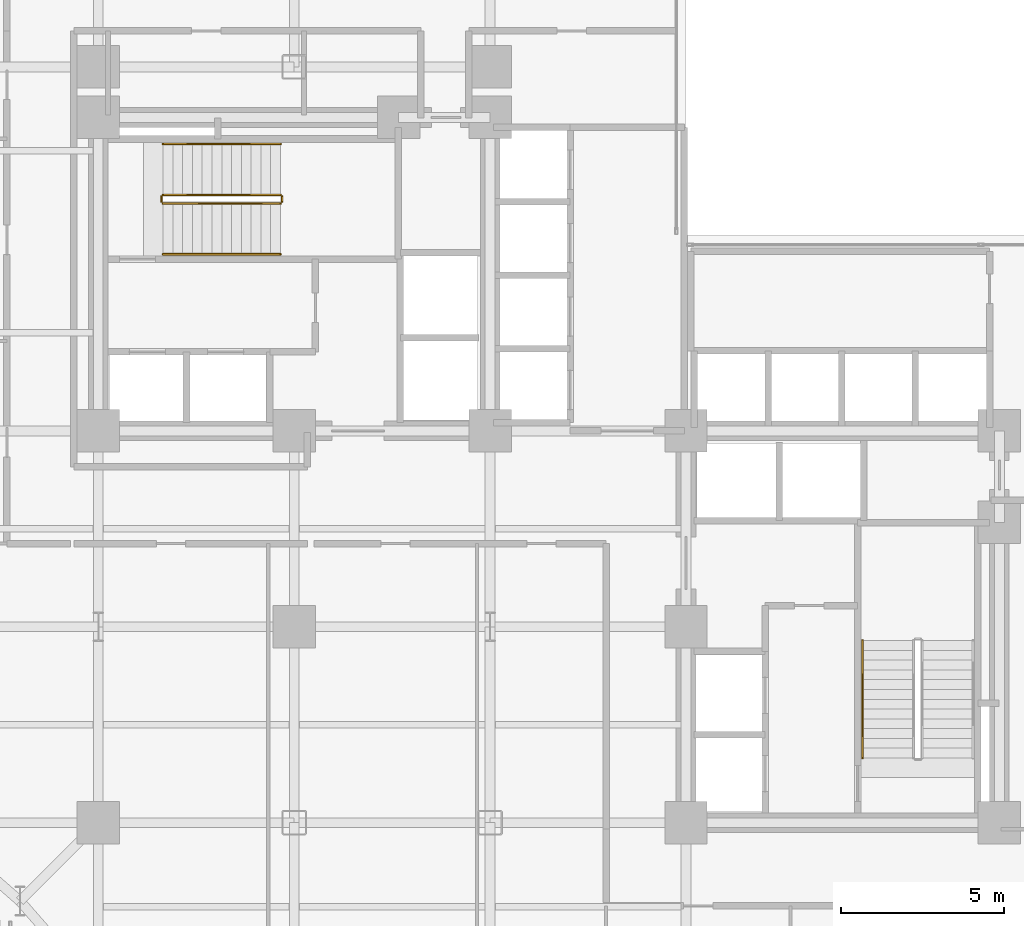
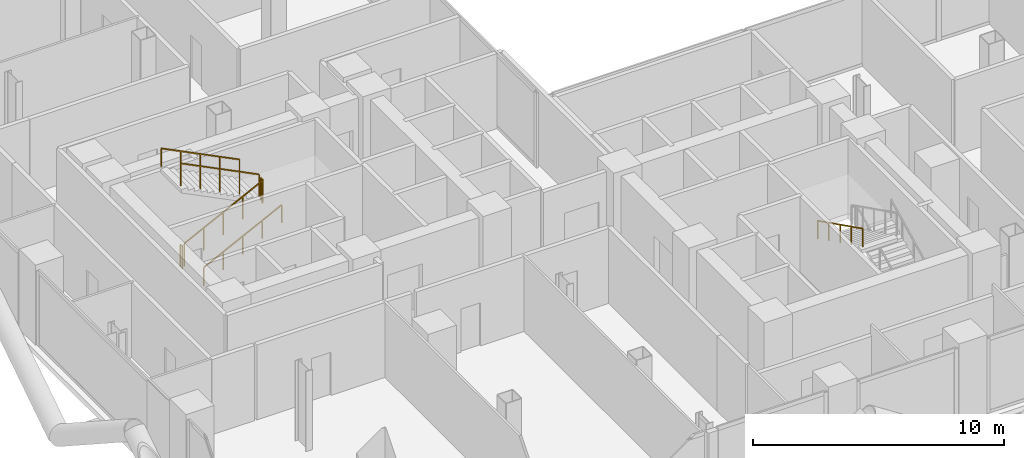
# One storey, part 25 of 27: 7 railings.
"""IFC4 building model written with IfcOpenShell, lengths in metres."""

from ifc_helpers import new_model, si_unit, direction, frame, origin, origin_2d, place, context, subcontext, project, spatial, rectangle, extrude, material, type_object, element, save


model = new_model("IFC4")

# Units and contexts
model_context = context("Model", 3, precision=1e-05, world=origin(), true_north=direction((0.0, 1.0)))
body_context = subcontext(model_context, "Body", "Model", "MODEL_VIEW")
ifc_project = project(units=[si_unit("LENGTHUNIT", "METRE"), si_unit("AREAUNIT", "SQUARE_METRE"), si_unit("VOLUMEUNIT", "CUBIC_METRE"), si_unit("PLANEANGLEUNIT", "RADIAN"), si_unit("MASSUNIT", "GRAM", prefix="KILO"), si_unit("THERMODYNAMICTEMPERATUREUNIT", "KELVIN"), si_unit("POWERUNIT", "WATT")], contexts=[model_context])

# Site, building, storey
site_placement = place(None, origin())
site = spatial("IfcSite", under=ifc_project, at=site_placement, CompositionType="ELEMENT")
building_placement = place(site_placement, origin())
building = spatial("IfcBuilding", under=site, at=building_placement, Name="Svarakhadi Broadcast Tower", CompositionType="ELEMENT")
storey_placement = place(building_placement, frame((0.0, 0.0, 87.0)))
storey = spatial("IfcBuildingStorey", under=building, at=storey_placement, Name="L20", CompositionType="ELEMENT", Elevation=87.0)

# Railings
ifc_material = material(Name="Anodised Bronze Aluminium AA 6063-T6", Category="aluminium")
railing_type_1 = type_object("IfcRailingType", Name="Guard_Stair_GR01", PredefinedType="GUARDRAIL", material=ifc_material)
railing_1_placement = place(storey_placement, frame((7.97998046875, 24.969970703125, 0.14990234375)))
element("IfcRailing", 1, at=railing_1_placement, inside=storey, type_object=railing_type_1, Name="L20 ST-01 stair guard 1", PredefinedType="GUARDRAIL", context=body_context, shape_type="SweptSolid", body=[
    extrude(rectangle(XDim=0.048095703125, YDim=0.048095703125, at=origin_2d()), frame((0.0, 0.0, 1.09619140625), z_axis=(0.894427191, 0.0, 0.4472135955), x_axis=(0.0, 1.0, 0.0)), (0.0, 0.0, 1.0), 4.025146484375),
    extrude(rectangle(XDim=0.0419921875, YDim=0.0419921875, at=origin_2d()), origin(), (0.0, 0.0, 1.0), 1.072021484375),
    extrude(rectangle(XDim=0.0419921875, YDim=0.0419921875, at=origin_2d()), frame((0.89990234375, 0.0, 0.449951171875)), (0.0, 0.0, 1.0), 1.072021484375),
    extrude(rectangle(XDim=0.0419921875, YDim=0.0419921875, at=origin_2d()), frame((1.800048828125, 0.0, 0.89990234375)), (0.0, 0.0, 1.0), 1.072021484375),
    extrude(rectangle(XDim=0.0419921875, YDim=0.0419921875, at=origin_2d()), frame((2.7001953125, 0.0, 1.35009765625)), (0.0, 0.0, 1.0), 1.072021484375),
    extrude(rectangle(XDim=0.0419921875, YDim=0.0419921875, at=origin_2d()), frame((3.60009765625, 0.0, 1.800048828125)), (0.0, 0.0, 1.0), 1.072021484375),
])
railing_2_placement = place(storey_placement, frame((11.6298828125, 25.02001953125, 1.949951171875)))
element("IfcRailing", 2, at=railing_2_placement, inside=storey, type_object=railing_type_1, Name="L20 ST-01 stair guard 2", PredefinedType="GUARDRAIL", context=body_context, shape_type="SweptSolid", body=[
    extrude(rectangle(XDim=0.048095703125, YDim=0.048095703125, at=origin_2d()), frame((0.0, 0.0, 1.09619140625), z_axis=(0.0, 1.0, 0.0), x_axis=(-1.0, 0.0, 0.0)), (0.0, 0.0, 1.0), 0.159912109375),
    extrude(rectangle(XDim=0.0419921875, YDim=0.0419921875, at=origin_2d()), origin(), (0.0, 0.0, 1.0), 1.072021484375),
    extrude(rectangle(XDim=0.0419921875, YDim=0.0419921875, at=origin_2d()), frame((0.0, 0.159912109375, 0.0)), (0.0, 0.0, 1.0), 1.072021484375),
])
railing_3_placement = place(storey_placement, frame((11.580078125, 25.22998046875, 2.10009765625)))
element("IfcRailing", 3, at=railing_3_placement, inside=storey, type_object=railing_type_1, Name="L20 ST-01 stair guard 3", PredefinedType="GUARDRAIL", context=body_context, shape_type="SweptSolid", body=[
    extrude(rectangle(XDim=0.048095703125, YDim=0.048095703125, at=origin_2d()), frame((0.0, 0.0, 1.09619140625), z_axis=(-0.894451452574, 0.0, 0.447165069061), x_axis=(0.0, -1.0, 0.0)), (0.0, 0.0, 1.0), 4.02490234375),
    extrude(rectangle(XDim=0.0419921875, YDim=0.0419921875, at=origin_2d()), origin(), (0.0, 0.0, 1.0), 1.072021484375),
    extrude(rectangle(XDim=0.0419921875, YDim=0.0419921875, at=origin_2d()), frame((-0.89990234375, 0.0, 0.449951171875)), (0.0, 0.0, 1.0), 1.072021484375),
    extrude(rectangle(XDim=0.0419921875, YDim=0.0419921875, at=origin_2d()), frame((-1.800048828125, 0.0, 0.89990234375)), (0.0, 0.0, 1.0), 1.072021484375),
    extrude(rectangle(XDim=0.0419921875, YDim=0.0419921875, at=origin_2d()), frame((-2.7001953125, 0.0, 1.349853515625)), (0.0, 0.0, 1.0), 1.072021484375),
    extrude(rectangle(XDim=0.0419921875, YDim=0.0419921875, at=origin_2d()), frame((-3.60009765625, 0.0, 1.7998046875)), (0.0, 0.0, 1.0), 1.072021484375),
])
railing_4_placement = place(storey_placement, frame((7.929931640625, 25.02001953125, 0.0)))
element("IfcRailing", 4, at=railing_4_placement, inside=storey, type_object=railing_type_1, Name="L20 ST-01 stair guard 4", PredefinedType="GUARDRAIL", context=body_context, shape_type="SweptSolid", body=[
    extrude(rectangle(XDim=0.048095703125, YDim=0.048095703125, at=origin_2d()), frame((0.0, 0.0, 1.09619140625), z_axis=(0.0, 1.0, 0.0), x_axis=(-1.0, 0.0, 0.0)), (0.0, 0.0, 1.0), 0.159912109375),
    extrude(rectangle(XDim=0.0419921875, YDim=0.0419921875, at=origin_2d()), origin(), (0.0, 0.0, 1.0), 1.072021484375),
    extrude(rectangle(XDim=0.0419921875, YDim=0.0419921875, at=origin_2d()), frame((0.0, 0.159912109375, 0.0)), (0.0, 0.0, 1.0), 1.072021484375),
])
railing_type_2 = type_object("IfcRailingType", Name="Handrail_Stair_HR01", PredefinedType="HANDRAIL", material=ifc_material)
railing_5_placement = place(storey_placement, frame((7.97998046875, 23.409912109375, 0.14990234375)))
element("IfcRailing", 5, at=railing_5_placement, inside=storey, type_object=railing_type_2, Name="L20 ST-01 stair handrail 1", PredefinedType="HANDRAIL", context=body_context, shape_type="SweptSolid", body=[
    extrude(rectangle(XDim=0.048095703125, YDim=0.048095703125, at=origin_2d()), frame((0.0, 0.0, 0.8759765625), z_axis=(0.894427191, 0.0, 0.4472135955), x_axis=(0.0, 1.0, 0.0)), (0.0, 0.0, 1.0), 4.025146484375),
    extrude(rectangle(XDim=0.0419921875, YDim=0.0419921875, at=origin_2d()), origin(), (0.0, 0.0, 1.0), 0.851806640625),
    extrude(rectangle(XDim=0.0419921875, YDim=0.0419921875, at=origin_2d()), frame((0.89990234375, 0.0, 0.449951171875)), (0.0, 0.0, 1.0), 0.851806640625),
    extrude(rectangle(XDim=0.0419921875, YDim=0.0419921875, at=origin_2d()), frame((1.800048828125, 0.0, 0.89990234375)), (0.0, 0.0, 1.0), 0.851806640625),
    extrude(rectangle(XDim=0.0419921875, YDim=0.0419921875, at=origin_2d()), frame((2.7001953125, 0.0, 1.35009765625)), (0.0, 0.0, 1.0), 0.851806640625),
    extrude(rectangle(XDim=0.0419921875, YDim=0.0419921875, at=origin_2d()), frame((3.60009765625, 0.0, 1.800048828125)), (0.0, 0.0, 1.0), 0.851806640625),
])
railing_6_placement = place(storey_placement, frame((11.580078125, 26.7900390625, 2.10009765625)))
element("IfcRailing", 6, at=railing_6_placement, inside=storey, type_object=railing_type_2, Name="L20 ST-01 stair handrail 2", PredefinedType="HANDRAIL", context=body_context, shape_type="SweptSolid", body=[
    extrude(rectangle(XDim=0.048095703125, YDim=0.048095703125, at=origin_2d()), frame((0.0, 0.0, 0.8759765625), z_axis=(-0.894451452574, 0.0, 0.447165069061), x_axis=(0.0, -1.0, 0.0)), (0.0, 0.0, 1.0), 4.02490234375),
    extrude(rectangle(XDim=0.0419921875, YDim=0.0419921875, at=origin_2d()), origin(), (0.0, 0.0, 1.0), 0.851806640625),
    extrude(rectangle(XDim=0.0419921875, YDim=0.0419921875, at=origin_2d()), frame((-0.89990234375, 0.0, 0.449951171875)), (0.0, 0.0, 1.0), 0.851806640625),
    extrude(rectangle(XDim=0.0419921875, YDim=0.0419921875, at=origin_2d()), frame((-1.800048828125, 0.0, 0.89990234375)), (0.0, 0.0, 1.0), 0.851806640625),
    extrude(rectangle(XDim=0.0419921875, YDim=0.0419921875, at=origin_2d()), frame((-2.7001953125, 0.0, 1.349853515625)), (0.0, 0.0, 1.0), 0.851806640625),
    extrude(rectangle(XDim=0.0419921875, YDim=0.0419921875, at=origin_2d()), frame((-3.60009765625, 0.0, 1.7998046875)), (0.0, 0.0, 1.0), 0.851806640625),
])
railing_7_placement = place(storey_placement, frame((29.409912109375, 11.580078125, 2.10009765625)))
element("IfcRailing", 7, at=railing_7_placement, inside=storey, type_object=railing_type_2, Name="L20 ST-02 stair handrail 2", PredefinedType="HANDRAIL", context=body_context, shape_type="SweptSolid", body=[
    extrude(rectangle(XDim=0.048095703125, YDim=0.048095703125, at=origin_2d()), frame((0.0, 0.0, 0.8759765625), z_axis=(0.0, -0.894451452574, 0.447165069061), x_axis=(1.0, 0.0, 0.0)), (0.0, 0.0, 1.0), 4.02490234375),
    extrude(rectangle(XDim=0.0419921875, YDim=0.0419921875, at=origin_2d()), origin(), (0.0, 0.0, 1.0), 0.851806640625),
    extrude(rectangle(XDim=0.0419921875, YDim=0.0419921875, at=origin_2d()), frame((0.0, -0.89990234375, 0.449951171875)), (0.0, 0.0, 1.0), 0.851806640625),
    extrude(rectangle(XDim=0.0419921875, YDim=0.0419921875, at=origin_2d()), frame((0.0, -1.800048828125, 0.89990234375)), (0.0, 0.0, 1.0), 0.851806640625),
    extrude(rectangle(XDim=0.0419921875, YDim=0.0419921875, at=origin_2d()), frame((0.0, -2.7001953125, 1.349853515625)), (0.0, 0.0, 1.0), 0.851806640625),
    extrude(rectangle(XDim=0.0419921875, YDim=0.0419921875, at=origin_2d()), frame((0.0, -3.60009765625, 1.7998046875)), (0.0, 0.0, 1.0), 0.851806640625),
])

save(model, "model.ifc")
